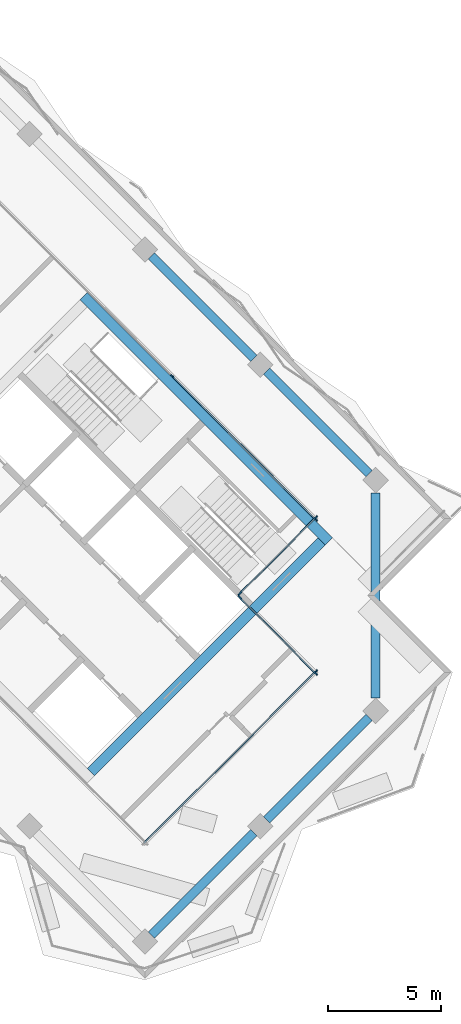
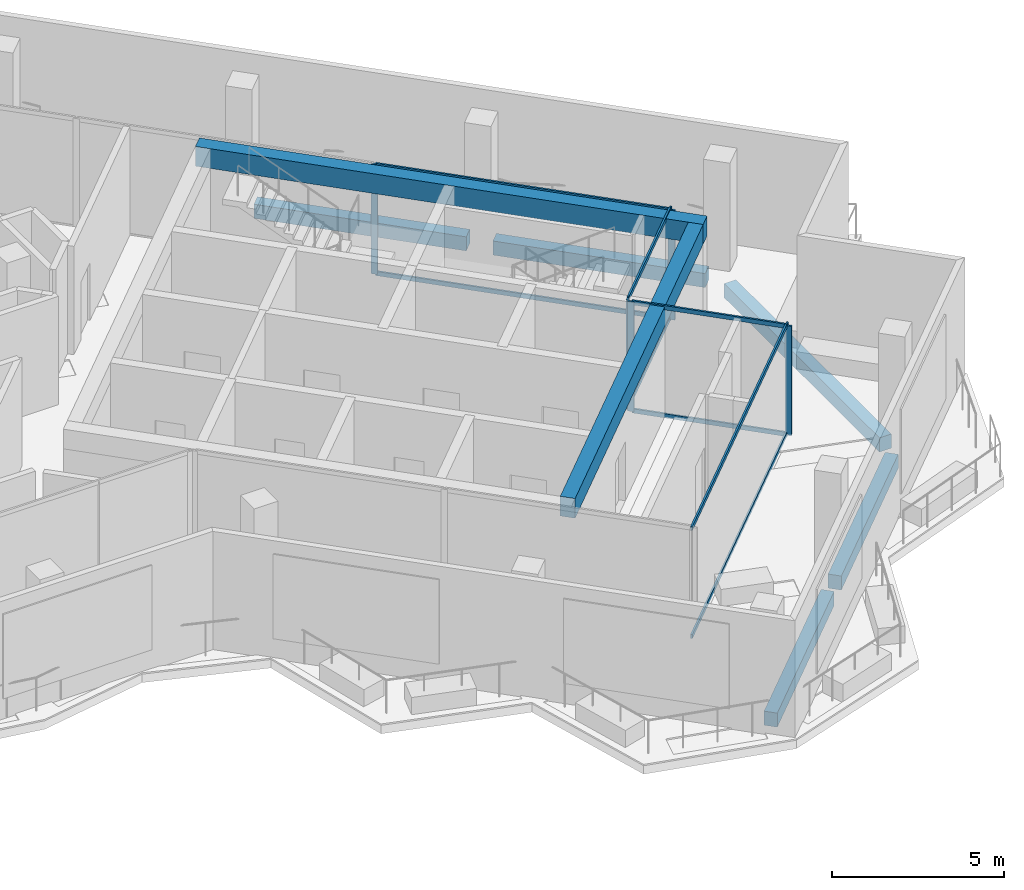
# One storey, part 7 of 19: 15 members, 7 beams, 4 elements without a shape of their own.
"""IFC4 building model written with IfcOpenShell, lengths in metres."""

from ifc_helpers import new_model, si_unit, direction, frame, origin, origin_2d, place, context, subcontext, project, spatial, rectangle, extrude, material, material_profile, profile_set, type_object, element, aggregate, save


model = new_model("IFC4")

# Units and contexts
model_context = context("Model", 3, precision=1e-05, world=origin(), true_north=direction((0.0, 1.0)))
body_context = subcontext(model_context, "Body", "Model", "MODEL_VIEW")
ifc_project = project(units=[si_unit("LENGTHUNIT", "METRE"), si_unit("AREAUNIT", "SQUARE_METRE"), si_unit("VOLUMEUNIT", "CUBIC_METRE"), si_unit("PLANEANGLEUNIT", "RADIAN"), si_unit("MASSUNIT", "GRAM", prefix="KILO")], contexts=[model_context])

# Site, building, storey
site_placement = place(None, origin())
site = spatial("IfcSite", under=ifc_project, at=site_placement, CompositionType="ELEMENT")
building_placement = place(site_placement, origin())
building = spatial("IfcBuilding", under=site, at=building_placement, Name="Windrow Commons", CompositionType="ELEMENT")
storey_placement = place(building_placement, frame((0.0, 0.0, 230.4)))
storey = spatial("IfcBuildingStorey", under=building, at=storey_placement, Name="L63", CompositionType="ELEMENT", Elevation=230.4)

# Curtain wall, members
ifc_material_1 = material(Name="Clear laminated glass in Aluminium 6063-T6 anodised frame", Category="aluminium")
curtain_wall_type = type_object("IfcCurtainWallType", Name="Curtain wall CW2H sky lounge upper", PredefinedType="USERDEFINED", material=ifc_material_1)
placement = place(storey_placement, origin())
curtain_wall_1 = element("IfcCurtainWall", 1, at=placement, inside=storey, type_object=curtain_wall_type, Name="Curtain wall CW2H L63 1", ObjectType="UNITISED", PredefinedType="USERDEFINED")
ifc_material_2 = material(Name="Aluminium 6063-T6", Category="aluminium")
ifc_material_profile_1 = material_profile(ifc_material_2, rectangle(XDim=0.06, YDim=0.2, at=origin_2d()))
ifc_profile_set_1 = profile_set([ifc_material_profile_1], Name="Aluminium 6063-T6")
member_type_1 = type_object("IfcMemberType", Name="CW2H mullion 60x200", PredefinedType="MULLION", material=ifc_profile_set_1)
member_1_placement = place(storey_placement, frame((96.9272, 43.1005, 0.0), z_axis=(0.0, 0.0, 1.0), x_axis=(-0.7071171977, -0.7070963646, 0.0)))
member_1 = element("IfcMember", 2, at=member_1_placement, type_object=member_type_1, Name="CW2H mullion 1", PredefinedType="MULLION", context=body_context, shape_type="SweptSolid", body=[
    extrude(rectangle(XDim=0.06, YDim=0.2, at=origin_2d()), origin(), (0.0, 0.0, 1.0), 3.9),
])
member_2_placement = place(storey_placement, frame((93.5755, 46.4523, 0.0), z_axis=(0.0, 0.0, 1.0), x_axis=(-0.7071171977, -0.7070963646, 0.0)))
member_2 = element("IfcMember", 3, at=member_2_placement, type_object=member_type_1, Name="CW2H mullion 2", PredefinedType="MULLION", context=body_context, shape_type="SweptSolid", body=[
    extrude(rectangle(XDim=0.06, YDim=0.2, at=origin_2d()), origin(), (0.0, 0.0, 1.0), 3.9),
])

curtain_wall_2 = element("IfcCurtainWall", 4, at=placement, inside=storey, type_object=curtain_wall_type, Name="Curtain wall CW2H L63 2", ObjectType="UNITISED", PredefinedType="USERDEFINED")
member_3_placement = place(storey_placement, frame((93.5755, 46.6361, 0.0), z_axis=(0.0, 0.0, 1.0), x_axis=(-0.7071067812, 0.7071067812, 0.0)))
member_3 = element("IfcMember", 5, at=member_3_placement, type_object=member_type_1, Name="CW2H mullion 1", PredefinedType="MULLION", context=body_context, shape_type="SweptSolid", body=[
    extrude(rectangle(XDim=0.06, YDim=0.2, at=origin_2d()), origin(), (0.0, 0.0, 1.0), 3.9),
])
member_4_placement = place(storey_placement, frame((96.9272, 49.9878, 0.0), z_axis=(0.0, 0.0, 1.0), x_axis=(-0.7071067812, 0.7071067812, 0.0)))
member_4 = element("IfcMember", 6, at=member_4_placement, type_object=member_type_1, Name="CW2H mullion 2", PredefinedType="MULLION", context=body_context, shape_type="SweptSolid", body=[
    extrude(rectangle(XDim=0.06, YDim=0.2, at=origin_2d()), origin(), (0.0, 0.0, 1.0), 3.9),
])

curtain_wall_3 = element("IfcCurtainWall", 7, at=placement, inside=storey, type_object=curtain_wall_type, Name="Curtain wall CW2H L63 3", ObjectType="UNITISED", PredefinedType="USERDEFINED")
member_5_placement = place(storey_placement, frame((96.9272, 49.8888, 0.0), z_axis=(0.0, 0.0, 1.0), x_axis=(-0.7071067812, -0.7071067812, 0.0)))
member_5 = element("IfcMember", 8, at=member_5_placement, type_object=member_type_1, Name="CW2H mullion 1", PredefinedType="MULLION", context=body_context, shape_type="SweptSolid", body=[
    extrude(rectangle(XDim=0.06, YDim=0.2, at=origin_2d()), origin(), (0.0, 0.0, 1.0), 3.9),
])
member_6_placement = place(storey_placement, frame((90.5945, 56.2215, 0.0), z_axis=(0.0, 0.0, 1.0), x_axis=(-0.7071067812, -0.7071067812, 0.0)))
member_6 = element("IfcMember", 9, at=member_6_placement, type_object=member_type_1, Name="CW2H mullion 2", PredefinedType="MULLION", context=body_context, shape_type="SweptSolid", body=[
    extrude(rectangle(XDim=0.06, YDim=0.2, at=origin_2d()), origin(), (0.0, 0.0, 1.0), 3.9),
])

# Curtain wall, member
curtain_wall_4 = element("IfcCurtainWall", 10, at=placement, inside=storey, type_object=curtain_wall_type, Name="Curtain wall CW2H L63 14", ObjectType="UNITISED", PredefinedType="USERDEFINED")
member_7_placement = place(storey_placement, frame((96.9272, 43.1995, 0.0), z_axis=(0.0, 0.0, 1.0), x_axis=(-0.7071021515, 0.7071114108, 0.0)))
member_7 = element("IfcMember", 11, at=member_7_placement, type_object=member_type_1, Name="CW2H mullion 2", PredefinedType="MULLION", context=body_context, shape_type="SweptSolid", body=[
    extrude(rectangle(XDim=0.06, YDim=0.2, at=origin_2d()), origin(), (0.0, 0.0, 1.0), 3.9),
])

# Member
ifc_material_3 = material(Name="Aluminium 6063-T6", Category="aluminium")
ifc_material_profile_2 = material_profile(ifc_material_3, rectangle(XDim=0.06, YDim=0.15, at=origin_2d()))
ifc_profile_set_2 = profile_set([ifc_material_profile_2], Name="Aluminium 6063-T6")
member_type_2 = type_object("IfcMemberType", Name="CW2H transom 60x150", PredefinedType="USERDEFINED", material=ifc_profile_set_2)
member_8_placement = place(storey_placement, frame((96.906, 43.1217, 0.03), z_axis=(-0.7070960976, 0.7071174646, 0.0), x_axis=(-0.7071174646, -0.7070960976, 0.0)))
member_8 = element("IfcMember", 12, at=member_8_placement, type_object=member_type_2, Name="CW2H transom 1.1", ObjectType="TRANSOM", PredefinedType="USERDEFINED", context=body_context, shape_type="SweptSolid", body=[
    extrude(rectangle(XDim=0.06, YDim=0.15, at=origin_2d()), origin(), (0.0, 0.0, 1.0), 4.6801),
])

member_9_placement = place(storey_placement, frame((96.906, 43.1217, 3.87), z_axis=(-0.7070960976, 0.7071174646, 0.0), x_axis=(-0.7071174646, -0.7070960976, 0.0)))
member_9 = element("IfcMember", 13, at=member_9_placement, type_object=member_type_2, Name="CW2H transom 1.2", ObjectType="TRANSOM", PredefinedType="USERDEFINED", context=body_context, shape_type="SweptSolid", body=[
    extrude(rectangle(XDim=0.06, YDim=0.15, at=origin_2d()), origin(), (0.0, 0.0, 1.0), 4.6801),
])

aggregate(curtain_wall_1, [member_1, member_2, member_8, member_9])

member_10_placement = place(storey_placement, frame((93.5967, 46.6573, 0.03), z_axis=(0.7071067812, 0.7071067812, 0.0), x_axis=(-0.7071067812, 0.7071067812, 0.0)))
member_10 = element("IfcMember", 14, at=member_10_placement, type_object=member_type_2, Name="CW2H transom 1.1", ObjectType="TRANSOM", PredefinedType="USERDEFINED", context=body_context, shape_type="SweptSolid", body=[
    extrude(rectangle(XDim=0.06, YDim=0.15, at=origin_2d()), origin(), (0.0, 0.0, 1.0), 4.6801),
])

member_11_placement = place(storey_placement, frame((93.5967, 46.6573, 3.87), z_axis=(0.7071067812, 0.7071067812, 0.0), x_axis=(-0.7071067812, 0.7071067812, 0.0)))
member_11 = element("IfcMember", 15, at=member_11_placement, type_object=member_type_2, Name="CW2H transom 1.2", ObjectType="TRANSOM", PredefinedType="USERDEFINED", context=body_context, shape_type="SweptSolid", body=[
    extrude(rectangle(XDim=0.06, YDim=0.15, at=origin_2d()), origin(), (0.0, 0.0, 1.0), 4.6801),
])

aggregate(curtain_wall_2, [member_3, member_4, member_10, member_11])

member_12_placement = place(storey_placement, frame((96.906, 49.91, 0.03), z_axis=(-0.7071067812, 0.7071067812, 0.0), x_axis=(-0.7071067812, -0.7071067812, 0.0)))
member_12 = element("IfcMember", 16, at=member_12_placement, type_object=member_type_2, Name="CW2H transom 1.1", ObjectType="TRANSOM", PredefinedType="USERDEFINED", context=body_context, shape_type="SweptSolid", body=[
    extrude(rectangle(XDim=0.06, YDim=0.15, at=origin_2d()), origin(), (0.0, 0.0, 1.0), 8.8958),
])

member_13_placement = place(storey_placement, frame((96.906, 49.91, 3.87), z_axis=(-0.7071067812, 0.7071067812, 0.0), x_axis=(-0.7071067812, -0.7071067812, 0.0)))
member_13 = element("IfcMember", 17, at=member_13_placement, type_object=member_type_2, Name="CW2H transom 1.2", ObjectType="TRANSOM", PredefinedType="USERDEFINED", context=body_context, shape_type="SweptSolid", body=[
    extrude(rectangle(XDim=0.06, YDim=0.15, at=origin_2d()), origin(), (0.0, 0.0, 1.0), 8.8958),
])

aggregate(curtain_wall_3, [member_5, member_6, member_12, member_13])

member_14_placement = place(storey_placement, frame((89.354, 35.6264, 0.03), z_axis=(0.7071114628, 0.7071020996, 0.0), x_axis=(-0.7071020996, 0.7071114628, 0.0)))
member_14 = element("IfcMember", 18, at=member_14_placement, type_object=member_type_2, Name="CW2H transom 1.1", ObjectType="TRANSOM", PredefinedType="USERDEFINED", context=body_context, shape_type="SweptSolid", body=[
    extrude(rectangle(XDim=0.06, YDim=0.15, at=origin_2d()), origin(), (0.0, 0.0, 1.0), 10.6801),
])

member_15_placement = place(storey_placement, frame((89.354, 35.6264, 3.87), z_axis=(0.7071114628, 0.7071020996, 0.0), x_axis=(-0.7071020996, 0.7071114628, 0.0)))
member_15 = element("IfcMember", 19, at=member_15_placement, type_object=member_type_2, Name="CW2H transom 1.2", ObjectType="TRANSOM", PredefinedType="USERDEFINED", context=body_context, shape_type="SweptSolid", body=[
    extrude(rectangle(XDim=0.06, YDim=0.15, at=origin_2d()), origin(), (0.0, 0.0, 1.0), 10.6801),
])

aggregate(curtain_wall_4, [member_7, member_14, member_15])

# Beams
ifc_material_4 = material(Name="Concrete C40/50", Category="concrete")
ifc_material_profile_3 = material_profile(ifc_material_4, rectangle(XDim=0.45, YDim=0.7, at=origin_2d()))
ifc_profile_set_3 = profile_set([ifc_material_profile_3], Name="Concrete C40/50")
beam_type_1 = type_object("IfcBeamType", Name="RC COUPLING BEAM 450x700 C40/50", PredefinedType="LINTEL", material=ifc_profile_set_3)
beam_1_placement = place(storey_placement, frame((86.6777, 59.7494, 3.55), z_axis=(0.7071035132, -0.7071100491, 0.0), x_axis=(0.7071100491, 0.7071035132, 0.0)))
element("IfcBeam", 20, at=beam_1_placement, inside=storey, type_object=beam_type_1, Name="Core B coupling beam outer-N", PredefinedType="LINTEL", context=body_context, shape_type="SweptSolid", body=[
    extrude(rectangle(XDim=0.45, YDim=0.7, at=origin_2d()), origin(), (0.0, 0.0, 1.0), 15.3),
])
beam_2_placement = place(storey_placement, frame((86.9959, 38.7483, 3.55), z_axis=(0.7071067812, 0.7071067812, 0.0), x_axis=(-0.7071067812, 0.7071067812, 0.0)))
element("IfcBeam", 21, at=beam_2_placement, inside=storey, type_object=beam_type_1, Name="Core B coupling beam outer-E", PredefinedType="LINTEL", context=body_context, shape_type="SweptSolid", body=[
    extrude(rectangle(XDim=0.45, YDim=0.7, at=origin_2d()), origin(), (0.0, 0.0, 1.0), 14.3999),
])
ifc_material_5 = material(Name="Concrete C40/50", Category="concrete")
ifc_material_profile_4 = material_profile(ifc_material_5, rectangle(XDim=0.4, YDim=0.5, at=origin_2d()))
ifc_profile_set_4 = profile_set([ifc_material_profile_4], Name="Concrete C40/50")
beam_type_2 = type_object("IfcBeamType", Name="RC EDGE BEAM 400x500 C40/50", PredefinedType="SPANDREL", material=ifc_profile_set_4)
for number, where, z_axis, x_axis, name in (
    (22, (89.6651, 61.5349, -0.55), (0.7071067812, -0.7071067812, 0.0), (0.7071067812, 0.7071067812, 0.0), "Edge beam L63 018"),
    (23, (94.7563, 56.4437, -0.55), (0.7071067812, -0.7071067812, 0.0), (0.7071067812, 0.7071067812, 0.0), "Edge beam L63 019"),
):
    element("IfcBeam", number, at=place(storey_placement, frame(where, z_axis=z_axis, x_axis=x_axis)), inside=storey, type_object=beam_type_2, Name=name, PredefinedType="SPANDREL", context=body_context, shape_type="SweptSolid", body=[
        extrude(rectangle(XDim=0.4, YDim=0.5, at=origin_2d()), origin(), (0.0, 0.0, 1.0), 6.4002),
    ])
beam_3_placement = place(storey_placement, frame((99.5647, 51.0696, -0.55), z_axis=(0.0, -1.0, 0.0), x_axis=(1.0, 0.0, 0.0)))
element("IfcBeam", 24, at=beam_3_placement, inside=storey, type_object=beam_type_2, Name="Edge beam L63 020", PredefinedType="SPANDREL", context=body_context, shape_type="SweptSolid", body=[
    extrude(rectangle(XDim=0.4, YDim=0.5, at=origin_2d()), origin(), (0.0, 0.0, 1.0), 9.0509),
])
for number, where, z_axis, x_axis, name in (
    (25, (99.2819, 41.1702, -0.55), (-0.7071067812, -0.7071067812, 0.0), (0.7071067812, -0.7071067812, 0.0), "Edge beam L63 021"),
    (26, (94.1907, 36.079, -0.55), (-0.7071067812, -0.7071067812, 0.0), (0.7071067812, -0.7071067812, 0.0), "Edge beam L63 022"),
):
    element("IfcBeam", number, at=place(storey_placement, frame(where, z_axis=z_axis, x_axis=x_axis)), inside=storey, type_object=beam_type_2, Name=name, PredefinedType="SPANDREL", context=body_context, shape_type="SweptSolid", body=[
        extrude(rectangle(XDim=0.4, YDim=0.5, at=origin_2d()), origin(), (0.0, 0.0, 1.0), 6.4002),
    ])

save(model, "model.ifc")
